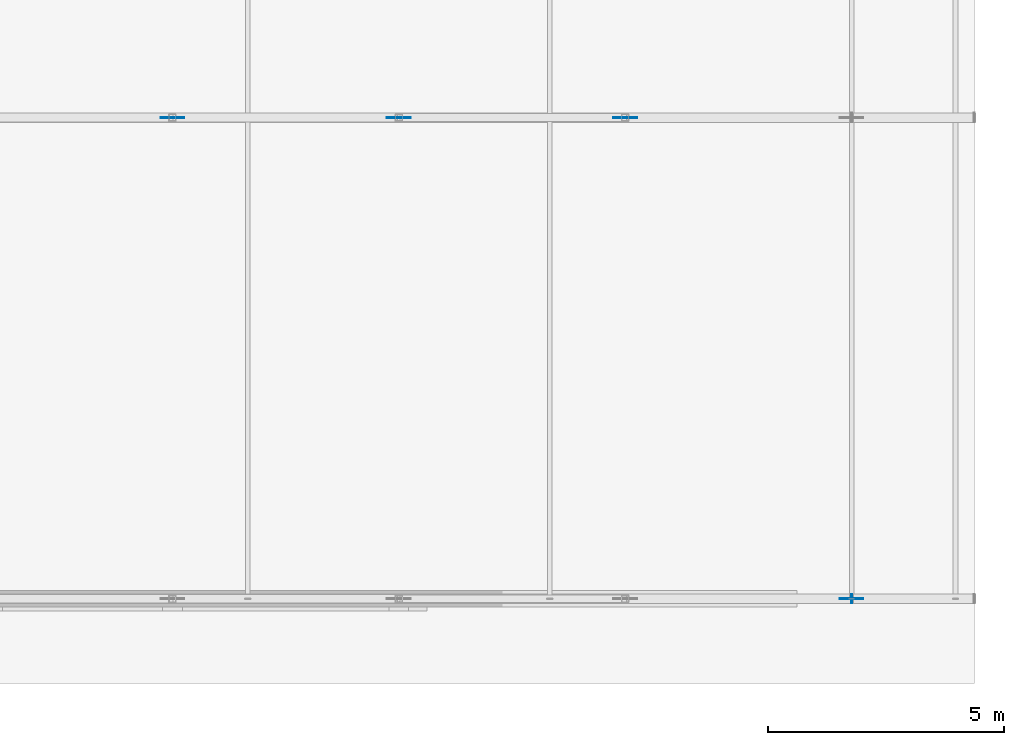
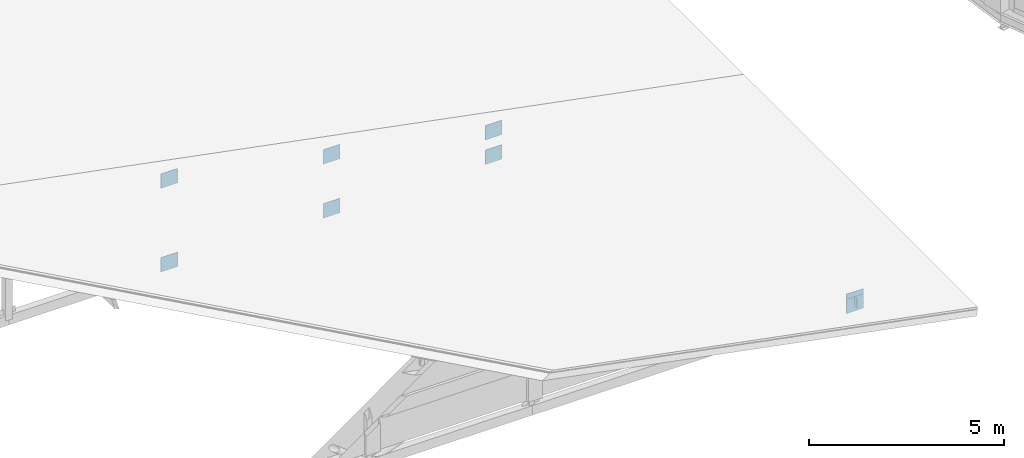
# One storey, part 148 of 200: 9 plates.
"""IFC4 building model written with IfcOpenShell, lengths in metres."""

from ifc_helpers import new_model, si_unit, direction, frame, origin, origin_2d, place, context, subcontext, project, spatial, rectangle, extrude, material, layer, layer_set, type_object, element, save


model = new_model("IFC4")

# Units and contexts
model_context = context("Model", 3, precision=1e-05, world=origin(), true_north=direction((0.0, 1.0)))
body_context = subcontext(model_context, "Body", "Model", "MODEL_VIEW")
ifc_project = project(units=[si_unit("LENGTHUNIT", "METRE"), si_unit("AREAUNIT", "SQUARE_METRE"), si_unit("VOLUMEUNIT", "CUBIC_METRE"), si_unit("PLANEANGLEUNIT", "RADIAN"), si_unit("MASSUNIT", "GRAM", prefix="KILO")], contexts=[model_context])

# Site, building, storey
site_placement = place(None, origin())
site = spatial("IfcSite", under=ifc_project, at=site_placement, CompositionType="ELEMENT")
building_placement = place(site_placement, origin())
building = spatial("IfcBuilding", under=site, at=building_placement, Name="Vondelvale Polytechnic", CompositionType="ELEMENT")
storey_placement = place(building_placement, frame((0.0, 0.0, 13.800048828125)))
storey = spatial("IfcBuildingStorey", under=building, at=storey_placement, Name="L03", CompositionType="ELEMENT", Elevation=13.800048828125)

# Plates
ifc_material = material(Name="Steel Grade 350 (fy = 340 MPa)", Category="steel")
ifc_layer_1 = layer(ifc_material, 0.01611328125)
ifc_layer_set_1 = layer_set([ifc_layer_1], Name="PLATE-CAP-300x200")
plate_type_1 = type_object("IfcPlateType", Name="PLATE-CAP-300x200", PredefinedType="USERDEFINED", material=ifc_layer_set_1)
plate_placement = place(storey_placement, frame((48.0, 51.0, -0.5703125), z_axis=(0.0, 0.0, 1.0), x_axis=(1.0, 0.0, 0.0)))
element("IfcPlate", 1, at=plate_placement, inside=storey, type_object=plate_type_1, Name="ROOF TRUSS bottom chord cap plate E", ObjectType="CAP_PLATE", PredefinedType="USERDEFINED", context=body_context, shape_type="SweptSolid", body=[
    extrude(rectangle(XDim=0.01611328125, YDim=0.199951171875, at=origin_2d()), origin(), (0.0, 0.0, 1.0), 0.300048828125),
])
ifc_layer_2 = layer(ifc_material, 0.01611328125)
ifc_layer_set_2 = layer_set([ifc_layer_2], Name="PLATE-GUSSET-16")
plate_type_2 = type_object("IfcPlateType", Name="PLATE-GUSSET-16", PredefinedType="USERDEFINED", material=ifc_layer_set_2)
for number, where, z_axis, x_axis, name in (
    (2, (48.0, 51.0, -0.72509765625), (0.0, 0.0, 1.0), (1.0, 0.0, 0.0), "ROOF TRUSS top chord gusset node plate 9"),
    (3, (48.0, 51.0, -0.56494140625), (0.0, 0.0, 1.0), (1.0, 0.0, 0.0), "ROOF TRUSS bottom chord gusset node plate 9"),
    (4, (33.60009765625, 61.199951171875, 2.0498046875), (0.0, 0.0, 1.0), (1.0, 0.0, 0.0), "ROOF TRUSS top chord gusset node plate 6"),
    (5, (33.60009765625, 61.199951171875, -0.56494140625), (0.0, 0.0, 1.0), (1.0, 0.0, 0.0), "ROOF TRUSS bottom chord gusset node plate 6"),
    (6, (38.39990234375, 61.199951171875, 1.125), (0.0, 0.0, 1.0), (1.0, 0.0, 0.0), "ROOF TRUSS top chord gusset node plate 7"),
    (7, (38.39990234375, 61.199951171875, -0.56494140625), (0.0, 0.0, 1.0), (1.0, 0.0, 0.0), "ROOF TRUSS bottom chord gusset node plate 7"),
    (8, (43.199951171875, 61.199951171875, 0.2001953125), (0.0, 0.0, 1.0), (1.0, 0.0, 0.0), "ROOF TRUSS top chord gusset node plate 8"),
    (9, (43.199951171875, 61.199951171875, -0.56494140625), (0.0, 0.0, 1.0), (1.0, 0.0, 0.0), "ROOF TRUSS bottom chord gusset node plate 8"),
):
    element("IfcPlate", number, at=place(storey_placement, frame(where, z_axis=z_axis, x_axis=x_axis)), inside=storey, type_object=plate_type_2, Name=name, ObjectType="GUSSET_PLATE", PredefinedType="USERDEFINED", context=body_context, shape_type="SweptSolid", body=[
        extrude(rectangle(XDim=0.5, YDim=0.01611328125, at=origin_2d()), origin(), (0.0, 0.0, 1.0), 0.449951171875),
    ])

save(model, "model.ifc")
